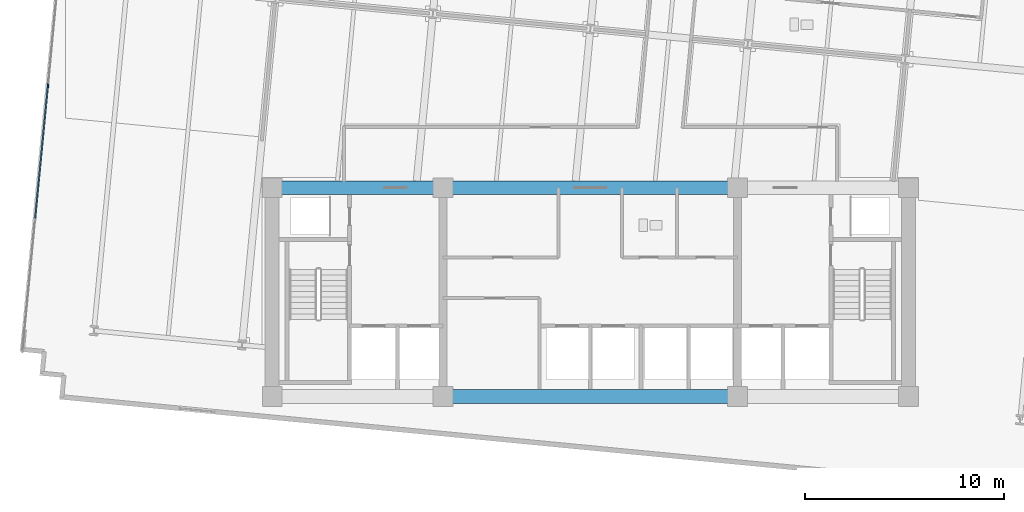
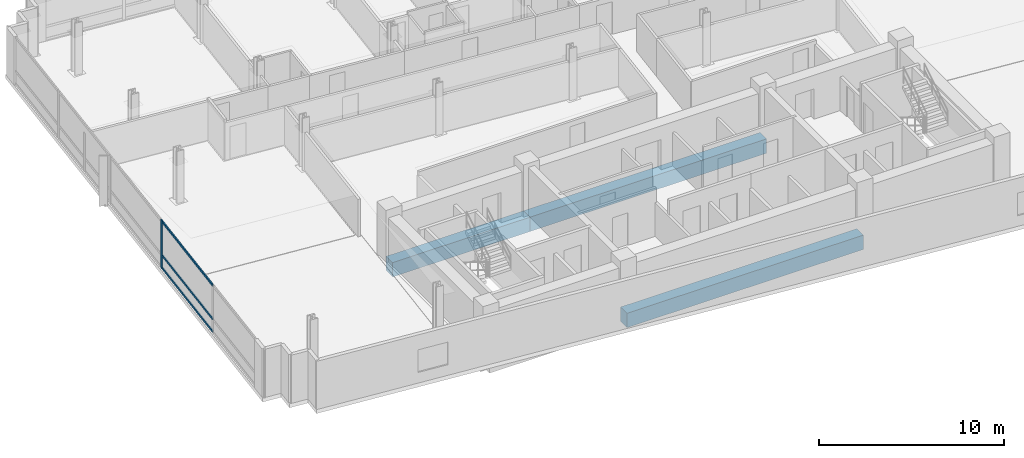
# One storey, part 3 of 17: 4 members, 3 beams, 1 element without a shape of its own.
"""IFC4 building model written with IfcOpenShell, lengths in metres."""

from ifc_helpers import new_model, si_unit, direction, frame, origin, origin_2d, place, context, subcontext, project, spatial, rectangle, extrude, material, material_profile, profile_set, type_object, element, aggregate, save


model = new_model("IFC4")

# Units and contexts
model_context = context("Model", 3, precision=1e-05, world=origin(), true_north=direction((0.0, 1.0)))
body_context = subcontext(model_context, "Body", "Model", "MODEL_VIEW")
ifc_project = project(units=[si_unit("LENGTHUNIT", "METRE"), si_unit("AREAUNIT", "SQUARE_METRE"), si_unit("VOLUMEUNIT", "CUBIC_METRE"), si_unit("PLANEANGLEUNIT", "RADIAN"), si_unit("MASSUNIT", "GRAM", prefix="KILO")], contexts=[model_context])

# Site, building, storey
site_placement = place(None, origin())
site = spatial("IfcSite", under=ifc_project, at=site_placement, CompositionType="ELEMENT")
building_placement = place(site_placement, origin())
building = spatial("IfcBuilding", under=site, at=building_placement, Name="Solmavex Isthmus Hotel", CompositionType="ELEMENT")
storey_placement = place(building_placement, frame((0.0, 0.0, 142.800048828125)))
storey = spatial("IfcBuildingStorey", under=building, at=storey_placement, Name="L38", CompositionType="ELEMENT", Elevation=142.800048828125)

# Beams
ifc_material_1 = material(Name="Concrete C60/75", Category="concrete")
ifc_material_profile_1 = material_profile(ifc_material_1, rectangle(XDim=0.699951171875, YDim=0.949951171875, at=origin_2d()), Name="RC700X950")
ifc_profile_set_1 = profile_set([ifc_material_profile_1], Name="Concrete C60/75")
beam_type = type_object("IfcBeamType", Name="BM-CB-700X950", PredefinedType="BEAM", material=ifc_profile_set_1)
beam_1_placement = place(storey_placement, frame((-7.39990234375, -13.0, -0.735107421875), z_axis=(1.0, 0.0, 0.0), x_axis=(0.0, 1.0, 0.0)))
element("IfcBeam", 1, at=beam_1_placement, inside=storey, type_object=beam_type, Name="Core Coupling Beam L38-CB2", PredefinedType="BEAM", context=body_context, shape_type="SweptSolid", body=[
    extrude(rectangle(XDim=0.699951171875, YDim=0.949951171875, at=origin_2d()), origin(), (0.0, 0.0, 1.0), 14.7998046875),
])
beam_2_placement = place(storey_placement, frame((-16.0, -2.5, -0.735107421875), z_axis=(1.0, 0.0, 0.0), x_axis=(0.0, 1.0, 0.0)))
element("IfcBeam", 2, at=beam_2_placement, inside=storey, type_object=beam_type, Name="Core Coupling Beam L38-CB4", PredefinedType="BEAM", context=body_context, shape_type="SweptSolid", body=[
    extrude(rectangle(XDim=0.699951171875, YDim=0.949951171875, at=origin_2d()), origin(), (0.0, 0.0, 1.0), 8.60009765625),
])
beam_3_placement = place(storey_placement, frame((-7.39990234375, -2.5, -0.735107421875), z_axis=(1.0, 0.0, 0.0), x_axis=(0.0, 1.0, 0.0)))
element("IfcBeam", 3, at=beam_3_placement, inside=storey, type_object=beam_type, Name="Core Coupling Beam L38-CB5", PredefinedType="BEAM", context=body_context, shape_type="SweptSolid", body=[
    extrude(rectangle(XDim=0.699951171875, YDim=0.949951171875, at=origin_2d()), origin(), (0.0, 0.0, 1.0), 14.7998046875),
])

# Curtain wall, members
ifc_material_2 = material(Name="Aluminium alloy 6063-T6", Category="aluminium")
curtain_wall_type = type_object("IfcCurtainWallType", Name="CW-SYS-03", PredefinedType="NOTDEFINED", material=ifc_material_2)
curtain_wall_placement = place(storey_placement, origin())
curtain_wall = element("IfcCurtainWall", 4, at=curtain_wall_placement, inside=storey, type_object=curtain_wall_type, Name="Stick Curtain Wall CWL-L38-W1", PredefinedType="NOTDEFINED")
ifc_material_profile_2 = material_profile(ifc_material_2, rectangle(XDim=0.070068359375, YDim=0.179931640625, at=origin_2d()), Name="CWM-70X180")
ifc_profile_set_2 = profile_set([ifc_material_profile_2], Name="Aluminium alloy 6063-T6")
member_type_1 = type_object("IfcMemberType", Name="CW-SYS-03-MUL", PredefinedType="MULLION", material=ifc_profile_set_2)
member_1_placement = place(storey_placement, frame((-27.2783203125, 2.6318359375, 0.0), z_axis=(0.0, 0.0, 1.0), x_axis=(-0.995396190038, 0.09584583902, 0.0)))
member_1 = element("IfcMember", 5, at=member_1_placement, type_object=member_type_1, Name="CW-03 mullion 3", PredefinedType="MULLION", context=body_context, shape_type="SweptSolid", body=[
    extrude(rectangle(XDim=0.070068359375, YDim=0.179931640625, at=origin_2d()), origin(), (0.0, 0.0, 1.0), 3.18994140625),
])
ifc_material_profile_3 = material_profile(ifc_material_2, rectangle(XDim=0.070068359375, YDim=0.139892578125, at=origin_2d()), Name="CWT-70X140")
ifc_profile_set_3 = profile_set([ifc_material_profile_3], Name="Aluminium alloy 6063-T6")
member_type_2 = type_object("IfcMemberType", Name="CW-SYS-03-TRN", PredefinedType="USERDEFINED", material=ifc_profile_set_3)
member_2_placement = place(storey_placement, frame((-27.9189453125, -4.0224609375, 0.070068359375), z_axis=(0.095820836451, 0.995398597197, 0.0), x_axis=(-0.995398597197, 0.095820836451, 0.0)))
member_2 = element("IfcMember", 6, at=member_2_placement, type_object=member_type_2, Name="CW-03 transom 2.1", ObjectType="TRANSOM", PredefinedType="USERDEFINED", context=body_context, shape_type="SweptSolid", body=[
    extrude(rectangle(XDim=0.070068359375, YDim=0.139892578125, at=origin_2d()), origin(), (0.0, 0.0, 1.0), 6.64990234375),
])
member_3_placement = place(storey_placement, frame((-27.9189453125, -4.0224609375, 0.89990234375), z_axis=(0.095820836451, 0.995398597197, 0.0), x_axis=(-0.995398597197, 0.095820836451, 0.0)))
member_3 = element("IfcMember", 7, at=member_3_placement, type_object=member_type_2, Name="CW-03 transom 2.2", ObjectType="TRANSOM", PredefinedType="USERDEFINED", context=body_context, shape_type="SweptSolid", body=[
    extrude(rectangle(XDim=0.070068359375, YDim=0.139892578125, at=origin_2d()), origin(), (0.0, 0.0, 1.0), 6.64990234375),
])
member_4_placement = place(storey_placement, frame((-27.9189453125, -4.0224609375, 3.119873046875), z_axis=(0.095820836451, 0.995398597197, 0.0), x_axis=(-0.995398597197, 0.095820836451, 0.0)))
member_4 = element("IfcMember", 8, at=member_4_placement, type_object=member_type_2, Name="CW-03 transom 2.3", ObjectType="TRANSOM", PredefinedType="USERDEFINED", context=body_context, shape_type="SweptSolid", body=[
    extrude(rectangle(XDim=0.070068359375, YDim=0.139892578125, at=origin_2d()), origin(), (0.0, 0.0, 1.0), 6.64990234375),
])
aggregate(curtain_wall, [member_1, member_2, member_3, member_4])

save(model, "model.ifc")
